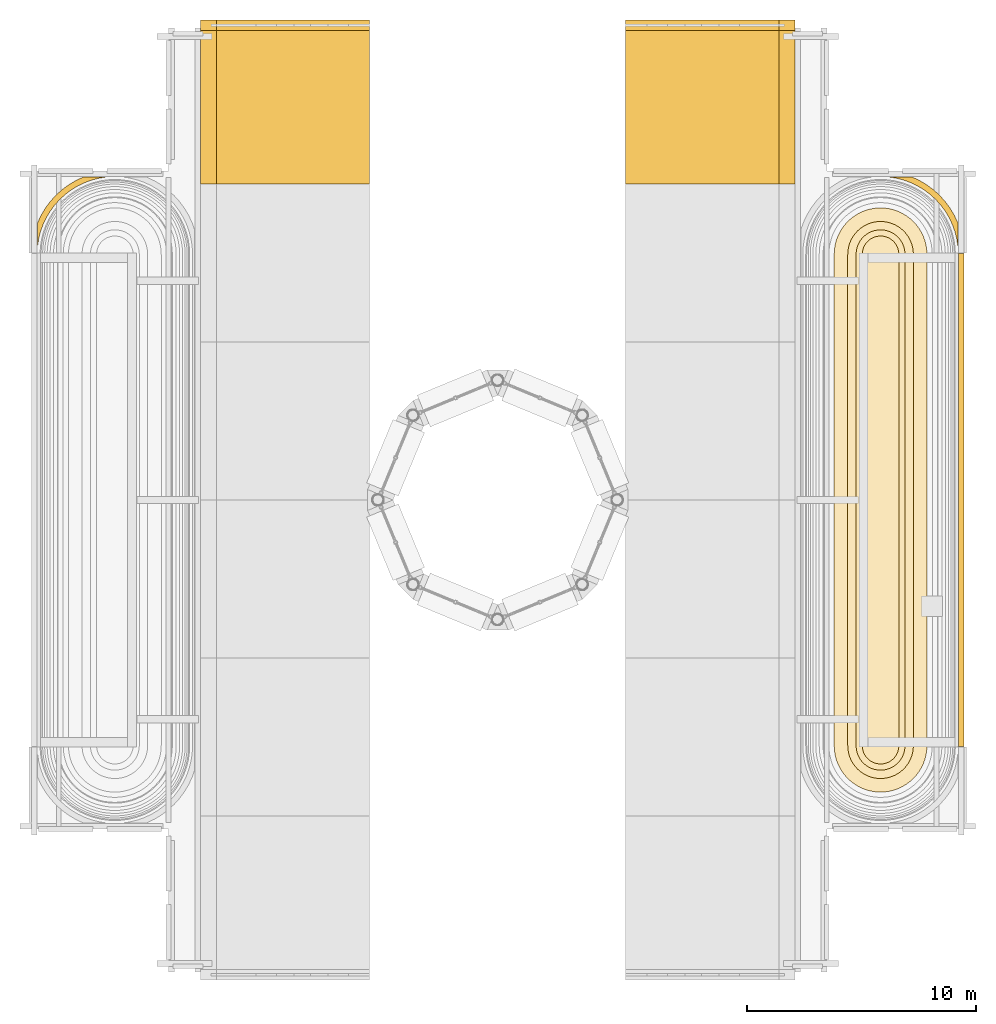
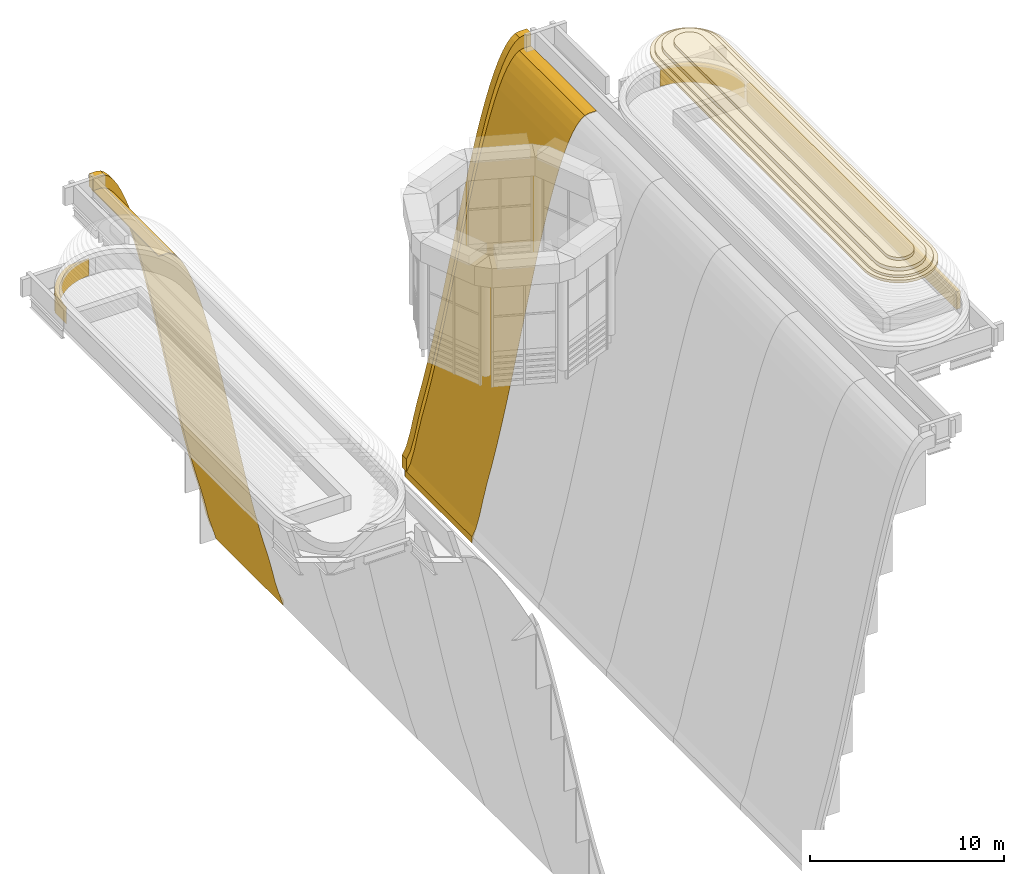
# One storey, part 14 of 14: 11 coverings.
"""IFC4 building model written with IfcOpenShell, lengths in metres."""

from ifc_helpers import new_model, si_unit, direction, frame, origin, place, context, subcontext, project, spatial, polyline, outline, extrude, material, layer, layer_set, type_object, element, save


model = new_model("IFC4")

# Units and contexts
model_context = context("Model", 3, precision=1e-05, world=origin(), true_north=direction((0.0, 1.0)))
body_context = subcontext(model_context, "Body", "Model", "MODEL_VIEW")
ifc_project = project(units=[si_unit("LENGTHUNIT", "METRE"), si_unit("AREAUNIT", "SQUARE_METRE"), si_unit("VOLUMEUNIT", "CUBIC_METRE"), si_unit("PLANEANGLEUNIT", "RADIAN"), si_unit("MASSUNIT", "GRAM", prefix="KILO")], contexts=[model_context])

# Site, building, storey
site_placement = place(None, origin())
site = spatial("IfcSite", under=ifc_project, at=site_placement, CompositionType="ELEMENT")
building_placement = place(site_placement, origin())
building = spatial("IfcBuilding", under=site, at=building_placement, Name="Cobrizo Arcos Hotel Tower", CompositionType="ELEMENT")
storey_placement = place(building_placement, frame((0.0, 0.0, 290.0)))
storey = spatial("IfcBuildingStorey", under=building, at=storey_placement, Name="RF", CompositionType="ELEMENT", Elevation=290.0)

# Coverings
ifc_material = material(Name="Aluminium 6063-T6 anodised pale", Category="aluminium")
ifc_layer_1 = layer(ifc_material, 0.06005859375)
ifc_layer_set_1 = layer_set([ifc_layer_1], Name="CB-2 crown bowl metal skin 60")
covering_type_1 = type_object("IfcCoveringType", Name="CB-2 crown bowl metal skin 60", PredefinedType="CLADDING", material=ifc_layer_set_1)
covering_1_placement = place(storey_placement, frame((0.0, 13.816650390625, -24.5), z_axis=(0.0, 1.0, 0.0), x_axis=(-1.0, 0.0, 0.0)))
element("IfcCovering", 1, at=covering_1_placement, inside=storey, type_object=covering_type_1, Name="Crown bowl skin W6", PredefinedType="CLADDING", context=body_context, shape_type="SweptSolid", body=[
    extrude(outline(polyline([(5.8310546875, 0.764892578125), (6.06201171875, 1.552490234375), (6.29296875, 2.578125), (6.52392578125, 3.5), (6.74853515625, 4.288818359375), (6.97314453125, 5.139892578125), (7.197509765625, 6.045654296875), (7.422119140625, 7.0), (7.676513671875, 8.12939453125), (7.9306640625, 9.300048828125), (8.18505859375, 10.5), (8.42822265625, 11.664794921875), (8.671630859375, 12.835205078125), (8.9150390625, 14.0), (9.169189453125, 15.199951171875), (9.423583984375, 16.37060546875), (9.677978515625, 17.5), (9.90234375, 18.454345703125), (10.126953125, 19.360595703125), (10.3515625, 20.211181640625), (10.575927734375, 21.0), (10.82275390625, 21.78857421875), (11.069580078125, 22.4873046875), (11.31640625, 23.09033203125), (11.56298828125, 23.59130859375), (11.809814453125, 23.986083984375), (12.056396484375, 24.270751953125), (12.30322265625, 24.442626953125), (12.550048828125, 24.5), (12.77490234375, 24.5), (13.0, 24.5), (13.0, 24.56005859375), (12.77490234375, 24.56005859375), (12.550048828125, 24.56005859375), (12.30322265625, 24.502685546875), (12.056396484375, 24.330810546875), (11.809814453125, 24.046142578125), (11.56298828125, 23.6513671875), (11.31640625, 23.150390625), (11.069580078125, 22.54736328125), (10.82275390625, 21.8486328125), (10.575927734375, 21.06005859375), (10.3515625, 20.271240234375), (10.126953125, 19.420654296875), (9.90234375, 18.514404296875), (9.677978515625, 17.56005859375), (9.423583984375, 16.4306640625), (9.169189453125, 15.260009765625), (8.9150390625, 14.06005859375), (8.671630859375, 12.895263671875), (8.42822265625, 11.724853515625), (8.18505859375, 10.56005859375), (7.9306640625, 9.360107421875), (7.676513671875, 8.189453125), (7.422119140625, 7.06005859375), (7.197509765625, 6.105712890625), (6.97314453125, 5.19970703125), (6.74853515625, 4.348876953125), (6.52392578125, 3.56005859375), (6.29296875, 2.63818359375), (6.06201171875, 1.612548828125), (5.8310546875, 0.824951171875), (5.60009765625, 0.3984375), (5.60009765625, 0.0), (5.8310546875, 0.764892578125)])), origin(), (0.0, 0.0, 1.0), 6.908447265625),
])
covering_2_placement = place(storey_placement, frame((0.0, 13.816650390625, -24.5), z_axis=(0.0, 1.0, 0.0), x_axis=(-1.0, 0.0, 0.0)))
element("IfcCovering", 2, at=covering_2_placement, inside=storey, type_object=covering_type_1, Name="Crown bowl skin E6", PredefinedType="CLADDING", context=body_context, shape_type="SweptSolid", body=[
    extrude(outline(polyline([(-5.60009765625, 0.0), (-5.60009765625, 0.3984375), (-5.8310546875, 0.824951171875), (-6.06201171875, 1.612548828125), (-6.29296875, 2.63818359375), (-6.52392578125, 3.56005859375), (-6.74853515625, 4.348876953125), (-6.97314453125, 5.19970703125), (-7.197509765625, 6.105712890625), (-7.422119140625, 7.06005859375), (-7.676513671875, 8.189453125), (-7.9306640625, 9.360107421875), (-8.18505859375, 10.56005859375), (-8.42822265625, 11.724853515625), (-8.671630859375, 12.895263671875), (-8.9150390625, 14.06005859375), (-9.169189453125, 15.260009765625), (-9.423583984375, 16.4306640625), (-9.677978515625, 17.56005859375), (-9.90234375, 18.514404296875), (-10.126953125, 19.420654296875), (-10.3515625, 20.271240234375), (-10.575927734375, 21.06005859375), (-10.82275390625, 21.8486328125), (-11.069580078125, 22.54736328125), (-11.31640625, 23.150390625), (-11.56298828125, 23.6513671875), (-11.809814453125, 24.046142578125), (-12.056396484375, 24.330810546875), (-12.30322265625, 24.502685546875), (-12.550048828125, 24.56005859375), (-12.77490234375, 24.56005859375), (-13.0, 24.56005859375), (-13.0, 24.5), (-12.77490234375, 24.5), (-12.550048828125, 24.5), (-12.30322265625, 24.442626953125), (-12.056396484375, 24.270751953125), (-11.809814453125, 23.986083984375), (-11.56298828125, 23.59130859375), (-11.31640625, 23.09033203125), (-11.069580078125, 22.4873046875), (-10.82275390625, 21.78857421875), (-10.575927734375, 21.0), (-10.3515625, 20.211181640625), (-10.126953125, 19.360595703125), (-9.90234375, 18.454345703125), (-9.677978515625, 17.5), (-9.423583984375, 16.37060546875), (-9.169189453125, 15.199951171875), (-8.9150390625, 14.0), (-8.671630859375, 12.835205078125), (-8.42822265625, 11.664794921875), (-8.18505859375, 10.5), (-7.9306640625, 9.300048828125), (-7.676513671875, 8.12939453125), (-7.422119140625, 7.0), (-7.197509765625, 6.045654296875), (-6.97314453125, 5.139892578125), (-6.74853515625, 4.288818359375), (-6.52392578125, 3.5), (-6.29296875, 2.578125), (-6.06201171875, 1.552490234375), (-5.8310546875, 0.764892578125), (-5.60009765625, 0.0)])), origin(), (0.0, 0.0, 1.0), 6.908447265625),
])
ifc_layer_2 = layer(ifc_material, 0.449951171875)
ifc_layer_set_2 = layer_set([ifc_layer_2], Name="CB-6 crown cheek fascia 800x450")
covering_type_2 = type_object("IfcCoveringType", Name="CB-6 crown cheek fascia 800x450", PredefinedType="CLADDING", material=ifc_layer_set_2)
covering_3_placement = place(storey_placement, frame((0.0, 20.550048828125, -24.5), z_axis=(0.0, 1.0, 0.0), x_axis=(-1.0, 0.0, 0.0)))
element("IfcCovering", 3, at=covering_3_placement, inside=storey, type_object=covering_type_2, Name="Crown cheek fascia WN", PredefinedType="CLADDING", context=body_context, shape_type="SweptSolid", body=[
    extrude(outline(polyline([(5.60009765625, 1.198486328125), (5.8310546875, 1.625), (6.06201171875, 2.41259765625), (6.29296875, 3.43798828125), (6.52392578125, 4.360107421875), (6.74853515625, 5.148681640625), (6.97314453125, 5.999755859375), (7.197509765625, 6.90576171875), (7.422119140625, 7.860107421875), (7.676513671875, 8.989501953125), (7.9306640625, 10.16015625), (8.18505859375, 11.360107421875), (8.42822265625, 12.52490234375), (8.671630859375, 13.6953125), (8.9150390625, 14.860107421875), (9.169189453125, 16.059814453125), (9.423583984375, 17.230712890625), (9.677978515625, 18.360107421875), (9.90234375, 19.314208984375), (10.126953125, 20.220703125), (10.3515625, 21.0712890625), (10.575927734375, 21.860107421875), (10.82275390625, 22.648681640625), (11.069580078125, 23.347412109375), (11.31640625, 23.9501953125), (11.56298828125, 24.451416015625), (11.809814453125, 24.84619140625), (12.056396484375, 25.130615234375), (12.30322265625, 25.302490234375), (12.550048828125, 25.360107421875), (12.77490234375, 25.360107421875), (13.0, 25.360107421875), (13.0, 24.56005859375), (12.77490234375, 24.56005859375), (12.550048828125, 24.56005859375), (12.30322265625, 24.502685546875), (12.056396484375, 24.330810546875), (11.809814453125, 24.046142578125), (11.56298828125, 23.6513671875), (11.31640625, 23.150390625), (11.069580078125, 22.54736328125), (10.82275390625, 21.8486328125), (10.575927734375, 21.06005859375), (10.3515625, 20.271240234375), (10.126953125, 19.420654296875), (9.90234375, 18.514404296875), (9.677978515625, 17.56005859375), (9.423583984375, 16.4306640625), (9.169189453125, 15.260009765625), (8.9150390625, 14.06005859375), (8.671630859375, 12.895263671875), (8.42822265625, 11.724853515625), (8.18505859375, 10.56005859375), (7.9306640625, 9.360107421875), (7.676513671875, 8.189453125), (7.422119140625, 7.06005859375), (7.197509765625, 6.105712890625), (6.97314453125, 5.19970703125), (6.74853515625, 4.348876953125), (6.52392578125, 3.56005859375), (6.29296875, 2.63818359375), (6.06201171875, 1.612548828125), (5.8310546875, 0.824951171875), (5.60009765625, 0.3984375), (5.60009765625, 1.198486328125)])), origin(), (0.0, 0.0, 1.0), 0.449951171875),
])
covering_4_placement = place(storey_placement, frame((0.0, 20.550048828125, -24.5), z_axis=(0.0, 1.0, 0.0), x_axis=(-1.0, 0.0, 0.0)))
element("IfcCovering", 4, at=covering_4_placement, inside=storey, type_object=covering_type_2, Name="Crown cheek fascia EN", PredefinedType="CLADDING", context=body_context, shape_type="SweptSolid", body=[
    extrude(outline(polyline([(-5.60009765625, 0.3984375), (-5.8310546875, 0.824951171875), (-6.06201171875, 1.612548828125), (-6.29296875, 2.63818359375), (-6.52392578125, 3.56005859375), (-6.74853515625, 4.348876953125), (-6.97314453125, 5.19970703125), (-7.197509765625, 6.105712890625), (-7.422119140625, 7.06005859375), (-7.676513671875, 8.189453125), (-7.9306640625, 9.360107421875), (-8.18505859375, 10.56005859375), (-8.42822265625, 11.724853515625), (-8.671630859375, 12.895263671875), (-8.9150390625, 14.06005859375), (-9.169189453125, 15.260009765625), (-9.423583984375, 16.4306640625), (-9.677978515625, 17.56005859375), (-9.90234375, 18.514404296875), (-10.126953125, 19.420654296875), (-10.3515625, 20.271240234375), (-10.575927734375, 21.06005859375), (-10.82275390625, 21.8486328125), (-11.069580078125, 22.54736328125), (-11.31640625, 23.150390625), (-11.56298828125, 23.6513671875), (-11.809814453125, 24.046142578125), (-12.056396484375, 24.330810546875), (-12.30322265625, 24.502685546875), (-12.550048828125, 24.56005859375), (-12.77490234375, 24.56005859375), (-13.0, 24.56005859375), (-13.0, 25.360107421875), (-12.77490234375, 25.360107421875), (-12.550048828125, 25.360107421875), (-12.30322265625, 25.302490234375), (-12.056396484375, 25.130615234375), (-11.809814453125, 24.84619140625), (-11.56298828125, 24.451416015625), (-11.31640625, 23.9501953125), (-11.069580078125, 23.347412109375), (-10.82275390625, 22.648681640625), (-10.575927734375, 21.860107421875), (-10.3515625, 21.0712890625), (-10.126953125, 20.220703125), (-9.90234375, 19.314208984375), (-9.677978515625, 18.360107421875), (-9.423583984375, 17.230712890625), (-9.169189453125, 16.059814453125), (-8.9150390625, 14.860107421875), (-8.671630859375, 13.6953125), (-8.42822265625, 12.52490234375), (-8.18505859375, 11.360107421875), (-7.9306640625, 10.16015625), (-7.676513671875, 8.989501953125), (-7.422119140625, 7.860107421875), (-7.197509765625, 6.90576171875), (-6.97314453125, 5.999755859375), (-6.74853515625, 5.148681640625), (-6.52392578125, 4.360107421875), (-6.29296875, 3.43798828125), (-6.06201171875, 2.41259765625), (-5.8310546875, 1.625), (-5.60009765625, 1.198486328125), (-5.60009765625, 0.3984375)])), origin(), (0.0, 0.0, 1.0), 0.449951171875),
])
ifc_layer_3 = layer(ifc_material, 0.35009765625)
ifc_layer_set_3 = layer_set([ifc_layer_3], Name="CB-7 shoulder roll course 350")
covering_type_3 = type_object("IfcCoveringType", Name="CB-7 shoulder roll course 350", PredefinedType="CLADDING", material=ifc_layer_set_3)
covering_5_placement = place(storey_placement, frame((0.0, 0.0, 4.255126953125)))
element("IfcCovering", 5, at=covering_5_placement, inside=storey, type_object=covering_type_3, Name="Shoulder roll E course 13", PredefinedType="CLADDING", context=body_context, shape_type="SweptSolid", body=[
    extrude(outline(polyline([(14.71875, 10.710205078125), (14.73046875, 10.948974609375), (14.759521484375, 11.14599609375), (14.80810546875, 11.339111328125), (14.875, 11.526611328125), (14.960205078125, 11.70654296875), (15.0625, 11.87744140625), (15.181396484375, 12.037353515625), (15.31494140625, 12.18505859375), (15.462646484375, 12.318603515625), (15.62255859375, 12.4375), (15.79345703125, 12.539794921875), (15.973388671875, 12.625), (16.160888671875, 12.69189453125), (16.35400390625, 12.740478515625), (16.551025390625, 12.76953125), (16.75, 12.779296875), (16.948974609375, 12.76953125), (17.14599609375, 12.740478515625), (17.339111328125, 12.69189453125), (17.526611328125, 12.625), (17.70654296875, 12.539794921875), (17.87744140625, 12.4375), (18.037353515625, 12.318603515625), (18.18505859375, 12.18505859375), (18.318603515625, 12.037353515625), (18.4375, 11.87744140625), (18.539794921875, 11.70654296875), (18.625, 11.526611328125), (18.69189453125, 11.339111328125), (18.740478515625, 11.14599609375), (18.76953125, 10.948974609375), (18.78125, 10.710205078125), (18.78125, -10.710205078125), (18.76953125, -10.948974609375), (18.740478515625, -11.14599609375), (18.69189453125, -11.339111328125), (18.625, -11.526611328125), (18.539794921875, -11.70654296875), (18.4375, -11.87744140625), (18.318603515625, -12.037353515625), (18.18505859375, -12.18505859375), (18.037353515625, -12.318603515625), (17.87744140625, -12.4375), (17.70654296875, -12.539794921875), (17.526611328125, -12.625), (17.339111328125, -12.69189453125), (17.14599609375, -12.740478515625), (16.948974609375, -12.76953125), (16.75, -12.779296875), (16.551025390625, -12.76953125), (16.35400390625, -12.740478515625), (16.160888671875, -12.69189453125), (15.973388671875, -12.625), (15.79345703125, -12.539794921875), (15.62255859375, -12.4375), (15.462646484375, -12.318603515625), (15.31494140625, -12.18505859375), (15.181396484375, -12.037353515625), (15.0625, -11.87744140625), (14.960205078125, -11.70654296875), (14.875, -11.526611328125), (14.80810546875, -11.339111328125), (14.759521484375, -11.14599609375), (14.73046875, -10.948974609375), (14.71875, -10.710205078125), (14.71875, 10.710205078125)]), holes=[polyline([(15.312255859375, 10.69580078125), (15.32177734375, 10.890625), (15.34228515625, 11.030029296875), (15.376708984375, 11.16650390625), (15.424072265625, 11.29931640625), (15.484375, 11.426513671875), (15.556640625, 11.54736328125), (15.640625, 11.660400390625), (15.735107421875, 11.764892578125), (15.839599609375, 11.859375), (15.95263671875, 11.943359375), (16.073486328125, 12.015625), (16.20068359375, 12.075927734375), (16.33349609375, 12.123291015625), (16.469970703125, 12.15771484375), (16.609375, 12.17822265625), (16.75, 12.185302734375), (16.890625, 12.17822265625), (17.030029296875, 12.15771484375), (17.16650390625, 12.123291015625), (17.29931640625, 12.075927734375), (17.426513671875, 12.015625), (17.54736328125, 11.943359375), (17.660400390625, 11.859375), (17.764892578125, 11.764892578125), (17.859375, 11.660400390625), (17.943359375, 11.54736328125), (18.015625, 11.426513671875), (18.075927734375, 11.29931640625), (18.123291015625, 11.16650390625), (18.15771484375, 11.030029296875), (18.17822265625, 10.890625), (18.187744140625, 10.69580078125), (18.187744140625, -10.69580078125), (18.17822265625, -10.890625), (18.15771484375, -11.030029296875), (18.123291015625, -11.16650390625), (18.075927734375, -11.29931640625), (18.015625, -11.426513671875), (17.943359375, -11.54736328125), (17.859375, -11.660400390625), (17.764892578125, -11.764892578125), (17.660400390625, -11.859375), (17.54736328125, -11.943359375), (17.426513671875, -12.015625), (17.29931640625, -12.075927734375), (17.16650390625, -12.123291015625), (17.030029296875, -12.15771484375), (16.890625, -12.17822265625), (16.75, -12.185302734375), (16.609375, -12.17822265625), (16.469970703125, -12.15771484375), (16.33349609375, -12.123291015625), (16.20068359375, -12.075927734375), (16.073486328125, -12.015625), (15.95263671875, -11.943359375), (15.839599609375, -11.859375), (15.735107421875, -11.764892578125), (15.640625, -11.660400390625), (15.556640625, -11.54736328125), (15.484375, -11.426513671875), (15.424072265625, -11.29931640625), (15.376708984375, -11.16650390625), (15.34228515625, -11.030029296875), (15.32177734375, -10.890625), (15.312255859375, -10.69580078125), (15.312255859375, 10.69580078125)])]), origin(), (0.0, 0.0, 1.0), 0.170166015625),
])
covering_6_placement = place(storey_placement, frame((0.0, 0.0, 4.42529296875)))
element("IfcCovering", 6, at=covering_6_placement, inside=storey, type_object=covering_type_3, Name="Shoulder roll E course 14", PredefinedType="CLADDING", context=body_context, shape_type="SweptSolid", body=[
    extrude(outline(polyline([(14.962158203125, 10.704345703125), (14.972900390625, 10.925048828125), (14.998779296875, 11.098388671875), (15.041259765625, 11.268310546875), (15.100341796875, 11.433349609375), (15.17529296875, 11.591796875), (15.265380859375, 11.741943359375), (15.36962890625, 11.8828125), (15.4873046875, 12.0126953125), (15.6171875, 12.13037109375), (15.758056640625, 12.234619140625), (15.908203125, 12.32470703125), (16.066650390625, 12.399658203125), (16.231689453125, 12.458740234375), (16.401611328125, 12.501220703125), (16.574951171875, 12.527099609375), (16.75, 12.53564453125), (16.925048828125, 12.527099609375), (17.098388671875, 12.501220703125), (17.268310546875, 12.458740234375), (17.433349609375, 12.399658203125), (17.591796875, 12.32470703125), (17.741943359375, 12.234619140625), (17.8828125, 12.13037109375), (18.0126953125, 12.0126953125), (18.13037109375, 11.8828125), (18.234619140625, 11.741943359375), (18.32470703125, 11.591796875), (18.399658203125, 11.433349609375), (18.458740234375, 11.268310546875), (18.501220703125, 11.098388671875), (18.527099609375, 10.925048828125), (18.537841796875, 10.704345703125), (18.537841796875, -10.704345703125), (18.527099609375, -10.925048828125), (18.501220703125, -11.098388671875), (18.458740234375, -11.268310546875), (18.399658203125, -11.433349609375), (18.32470703125, -11.591796875), (18.234619140625, -11.741943359375), (18.13037109375, -11.8828125), (18.0126953125, -12.0126953125), (17.8828125, -12.13037109375), (17.741943359375, -12.234619140625), (17.591796875, -12.32470703125), (17.433349609375, -12.399658203125), (17.268310546875, -12.458740234375), (17.098388671875, -12.501220703125), (16.925048828125, -12.527099609375), (16.75, -12.53564453125), (16.574951171875, -12.527099609375), (16.401611328125, -12.501220703125), (16.231689453125, -12.458740234375), (16.066650390625, -12.399658203125), (15.908203125, -12.32470703125), (15.758056640625, -12.234619140625), (15.6171875, -12.13037109375), (15.4873046875, -12.0126953125), (15.36962890625, -11.8828125), (15.265380859375, -11.741943359375), (15.17529296875, -11.591796875), (15.100341796875, -11.433349609375), (15.041259765625, -11.268310546875), (14.998779296875, -11.098388671875), (14.972900390625, -10.925048828125), (14.962158203125, -10.704345703125), (14.962158203125, 10.704345703125)]), holes=[polyline([(15.678466796875, 10.686767578125), (15.6865234375, 10.854736328125), (15.701904296875, 10.95849609375), (15.7275390625, 11.060302734375), (15.7626953125, 11.158935546875), (15.8076171875, 11.253662109375), (15.861572265625, 11.343505859375), (15.924072265625, 11.427978515625), (15.994384765625, 11.505615234375), (16.072021484375, 11.575927734375), (16.156494140625, 11.638427734375), (16.246337890625, 11.6923828125), (16.341064453125, 11.7373046875), (16.439697265625, 11.7724609375), (16.54150390625, 11.798095703125), (16.645263671875, 11.8134765625), (16.75, 11.818603515625), (16.854736328125, 11.8134765625), (16.95849609375, 11.798095703125), (17.060302734375, 11.7724609375), (17.158935546875, 11.7373046875), (17.253662109375, 11.6923828125), (17.343505859375, 11.638427734375), (17.427978515625, 11.575927734375), (17.505615234375, 11.505615234375), (17.575927734375, 11.427978515625), (17.638427734375, 11.343505859375), (17.6923828125, 11.253662109375), (17.7373046875, 11.158935546875), (17.7724609375, 11.060302734375), (17.798095703125, 10.95849609375), (17.8134765625, 10.854736328125), (17.821533203125, 10.686767578125), (17.821533203125, -10.686767578125), (17.8134765625, -10.854736328125), (17.798095703125, -10.95849609375), (17.7724609375, -11.060302734375), (17.7373046875, -11.158935546875), (17.6923828125, -11.253662109375), (17.638427734375, -11.343505859375), (17.575927734375, -11.427978515625), (17.505615234375, -11.505615234375), (17.427978515625, -11.575927734375), (17.343505859375, -11.638427734375), (17.253662109375, -11.6923828125), (17.158935546875, -11.7373046875), (17.060302734375, -11.7724609375), (16.95849609375, -11.798095703125), (16.854736328125, -11.8134765625), (16.75, -11.818603515625), (16.645263671875, -11.8134765625), (16.54150390625, -11.798095703125), (16.439697265625, -11.7724609375), (16.341064453125, -11.7373046875), (16.246337890625, -11.6923828125), (16.156494140625, -11.638427734375), (16.072021484375, -11.575927734375), (15.994384765625, -11.505615234375), (15.924072265625, -11.427978515625), (15.861572265625, -11.343505859375), (15.8076171875, -11.253662109375), (15.7626953125, -11.158935546875), (15.7275390625, -11.060302734375), (15.701904296875, -10.95849609375), (15.6865234375, -10.854736328125), (15.678466796875, -10.686767578125), (15.678466796875, 10.686767578125)])]), origin(), (0.0, 0.0, 1.0), 0.149658203125),
])
covering_7_placement = place(storey_placement, frame((0.0, 0.0, 4.574951171875)))
element("IfcCovering", 7, at=covering_7_placement, inside=storey, type_object=covering_type_3, Name="Shoulder roll E course 15", PredefinedType="CLADDING", context=body_context, shape_type="SweptSolid", body=[
    extrude(outline(polyline([(15.328369140625, 10.6953125), (15.337890625, 10.88916015625), (15.3583984375, 11.02685546875), (15.39208984375, 11.161865234375), (15.439208984375, 11.29296875), (15.49853515625, 11.4189453125), (15.5703125, 11.538330078125), (15.653076171875, 11.650146484375), (15.74658203125, 11.75341796875), (15.849853515625, 11.846923828125), (15.961669921875, 11.9296875), (16.0810546875, 12.00146484375), (16.20703125, 12.060791015625), (16.338134765625, 12.10791015625), (16.47314453125, 12.1416015625), (16.61083984375, 12.162109375), (16.75, 12.1689453125), (16.88916015625, 12.162109375), (17.02685546875, 12.1416015625), (17.161865234375, 12.10791015625), (17.29296875, 12.060791015625), (17.4189453125, 12.00146484375), (17.538330078125, 11.9296875), (17.650146484375, 11.846923828125), (17.75341796875, 11.75341796875), (17.846923828125, 11.650146484375), (17.9296875, 11.538330078125), (18.00146484375, 11.4189453125), (18.060791015625, 11.29296875), (18.10791015625, 11.161865234375), (18.1416015625, 11.02685546875), (18.162109375, 10.88916015625), (18.171630859375, 10.6953125), (18.171630859375, -10.6953125), (18.162109375, -10.88916015625), (18.1416015625, -11.02685546875), (18.10791015625, -11.161865234375), (18.060791015625, -11.29296875), (18.00146484375, -11.4189453125), (17.9296875, -11.538330078125), (17.846923828125, -11.650146484375), (17.75341796875, -11.75341796875), (17.650146484375, -11.846923828125), (17.538330078125, -11.9296875), (17.4189453125, -12.00146484375), (17.29296875, -12.060791015625), (17.161865234375, -12.10791015625), (17.02685546875, -12.1416015625), (16.88916015625, -12.162109375), (16.75, -12.1689453125), (16.61083984375, -12.162109375), (16.47314453125, -12.1416015625), (16.338134765625, -12.10791015625), (16.20703125, -12.060791015625), (16.0810546875, -12.00146484375), (15.961669921875, -11.9296875), (15.849853515625, -11.846923828125), (15.74658203125, -11.75341796875), (15.653076171875, -11.650146484375), (15.5703125, -11.538330078125), (15.49853515625, -11.4189453125), (15.439208984375, -11.29296875), (15.39208984375, -11.161865234375), (15.3583984375, -11.02685546875), (15.337890625, -10.88916015625), (15.328369140625, -10.6953125), (15.328369140625, 10.6953125)]), holes=[polyline([(16.297607421875, 10.67138671875), (16.303466796875, 10.7939453125), (16.309814453125, 10.83740234375), (16.320556640625, 10.880126953125), (16.33544921875, 10.921630859375), (16.354248046875, 10.96142578125), (16.376953125, 10.999267578125), (16.4033203125, 11.03466796875), (16.4326171875, 11.0673828125), (16.46533203125, 11.0966796875), (16.500732421875, 11.123046875), (16.53857421875, 11.145751953125), (16.578369140625, 11.16455078125), (16.619873046875, 11.179443359375), (16.66259765625, 11.190185546875), (16.7060546875, 11.196533203125), (16.75, 11.19873046875), (16.7939453125, 11.196533203125), (16.83740234375, 11.190185546875), (16.880126953125, 11.179443359375), (16.921630859375, 11.16455078125), (16.96142578125, 11.145751953125), (16.999267578125, 11.123046875), (17.03466796875, 11.0966796875), (17.0673828125, 11.0673828125), (17.0966796875, 11.03466796875), (17.123046875, 10.999267578125), (17.145751953125, 10.96142578125), (17.16455078125, 10.921630859375), (17.179443359375, 10.880126953125), (17.190185546875, 10.83740234375), (17.196533203125, 10.7939453125), (17.202392578125, 10.67138671875), (17.202392578125, -10.67138671875), (17.196533203125, -10.7939453125), (17.190185546875, -10.83740234375), (17.179443359375, -10.880126953125), (17.16455078125, -10.921630859375), (17.145751953125, -10.96142578125), (17.123046875, -10.999267578125), (17.0966796875, -11.03466796875), (17.0673828125, -11.0673828125), (17.03466796875, -11.0966796875), (16.999267578125, -11.123046875), (16.96142578125, -11.145751953125), (16.921630859375, -11.16455078125), (16.880126953125, -11.179443359375), (16.83740234375, -11.190185546875), (16.7939453125, -11.196533203125), (16.75, -11.19873046875), (16.7060546875, -11.196533203125), (16.66259765625, -11.190185546875), (16.619873046875, -11.179443359375), (16.578369140625, -11.16455078125), (16.53857421875, -11.145751953125), (16.500732421875, -11.123046875), (16.46533203125, -11.0966796875), (16.4326171875, -11.0673828125), (16.4033203125, -11.03466796875), (16.376953125, -10.999267578125), (16.354248046875, -10.96142578125), (16.33544921875, -10.921630859375), (16.320556640625, -10.880126953125), (16.309814453125, -10.83740234375), (16.303466796875, -10.7939453125), (16.297607421875, -10.67138671875), (16.297607421875, 10.67138671875)])]), origin(), (0.0, 0.0, 1.0), 0.234130859375),
])
covering_8_placement = place(storey_placement, frame((0.0, 0.0, 4.80908203125)))
element("IfcCovering", 8, at=covering_8_placement, inside=storey, type_object=covering_type_3, Name="Shoulder roll E course 16", PredefinedType="CLADDING", context=body_context, shape_type="SweptSolid", body=[
    extrude(outline(polyline([(15.947509765625, 10.68017578125), (15.95458984375, 10.828369140625), (15.96630859375, 10.906005859375), (15.9853515625, 10.98193359375), (16.01171875, 11.055908203125), (16.04541015625, 11.126708984375), (16.085693359375, 11.194091796875), (16.13232421875, 11.2568359375), (16.184814453125, 11.315185546875), (16.2431640625, 11.36767578125), (16.305908203125, 11.414306640625), (16.373291015625, 11.45458984375), (16.444091796875, 11.48828125), (16.51806640625, 11.5146484375), (16.593994140625, 11.53369140625), (16.671630859375, 11.54541015625), (16.75, 11.549072265625), (16.828369140625, 11.54541015625), (16.906005859375, 11.53369140625), (16.98193359375, 11.5146484375), (17.055908203125, 11.48828125), (17.126708984375, 11.45458984375), (17.194091796875, 11.414306640625), (17.2568359375, 11.36767578125), (17.315185546875, 11.315185546875), (17.36767578125, 11.2568359375), (17.414306640625, 11.194091796875), (17.45458984375, 11.126708984375), (17.48828125, 11.055908203125), (17.5146484375, 10.98193359375), (17.53369140625, 10.906005859375), (17.54541015625, 10.828369140625), (17.552490234375, 10.68017578125), (17.552490234375, -10.68017578125), (17.54541015625, -10.828369140625), (17.53369140625, -10.906005859375), (17.5146484375, -10.98193359375), (17.48828125, -11.055908203125), (17.45458984375, -11.126708984375), (17.414306640625, -11.194091796875), (17.36767578125, -11.2568359375), (17.315185546875, -11.315185546875), (17.2568359375, -11.36767578125), (17.194091796875, -11.414306640625), (17.126708984375, -11.45458984375), (17.055908203125, -11.48828125), (16.98193359375, -11.5146484375), (16.906005859375, -11.53369140625), (16.828369140625, -11.54541015625), (16.75, -11.549072265625), (16.671630859375, -11.54541015625), (16.593994140625, -11.53369140625), (16.51806640625, -11.5146484375), (16.444091796875, -11.48828125), (16.373291015625, -11.45458984375), (16.305908203125, -11.414306640625), (16.2431640625, -11.36767578125), (16.184814453125, -11.315185546875), (16.13232421875, -11.2568359375), (16.085693359375, -11.194091796875), (16.04541015625, -11.126708984375), (16.01171875, -11.055908203125), (15.9853515625, -10.98193359375), (15.96630859375, -10.906005859375), (15.95458984375, -10.828369140625), (15.947509765625, -10.68017578125), (15.947509765625, 10.68017578125)])), origin(), (0.0, 0.0, 1.0), 0.19091796875),
])
ifc_layer_4 = layer(ifc_material, 0.25)
ifc_layer_set_4 = layer_set([ifc_layer_4], Name="CB-8 shoulder roll skirt 250")
covering_type_4 = type_object("IfcCoveringType", Name="CB-8 shoulder roll skirt 250", PredefinedType="CLADDING", material=ifc_layer_set_4)
covering_9_placement = place(storey_placement, origin())
element("IfcCovering", 9, at=covering_9_placement, inside=storey, type_object=covering_type_4, Name="Shoulder roll skirt E2", PredefinedType="CLADDING", context=body_context, shape_type="SweptSolid", body=[
    extrude(outline(polyline([(18.146728515625, 14.122314453125), (18.470703125, 13.968994140625), (18.77783203125, 13.784912109375), (19.0654296875, 13.571533203125), (19.330810546875, 13.330810546875), (19.571533203125, 13.0654296875), (19.784912109375, 12.77783203125), (19.968994140625, 12.470703125), (20.122314453125, 12.146728515625), (20.139892578125, 12.096923828125), (20.139892578125, 10.947509765625), (20.13330078125, 11.083251953125), (20.08447265625, 11.4130859375), (20.00341796875, 11.73681640625), (19.890869140625, 12.051025390625), (19.748291015625, 12.3525390625), (19.57666015625, 12.638916015625), (19.3779296875, 12.90673828125), (19.15380859375, 13.15380859375), (18.90673828125, 13.3779296875), (18.638916015625, 13.57666015625), (18.3525390625, 13.748291015625), (18.051025390625, 13.890869140625), (17.73681640625, 14.00341796875), (17.4130859375, 14.08447265625), (17.083251953125, 14.13330078125), (16.947509765625, 14.139892578125), (18.096923828125, 14.139892578125), (18.146728515625, 14.122314453125)])), origin(), (0.0, 0.0, 1.0), 1.10009765625),
])
covering_10_placement = place(storey_placement, origin())
element("IfcCovering", 10, at=covering_10_placement, inside=storey, type_object=covering_type_4, Name="Shoulder roll skirt E3", PredefinedType="CLADDING", context=body_context, shape_type="SweptSolid", body=[
    extrude(outline(polyline([(20.39990234375, 10.75), (20.39990234375, -10.75), (20.39794921875, -10.7900390625), (20.14990234375, -10.7900390625), (20.14892578125, -10.7900390625), (20.14794921875, -10.790283203125), (20.147705078125, -10.790283203125), (20.14990234375, -10.743896484375), (20.14990234375, 10.743896484375), (20.147705078125, 10.790283203125), (20.14794921875, 10.790283203125), (20.14892578125, 10.7900390625), (20.14990234375, 10.7900390625), (20.39794921875, 10.7900390625), (20.39990234375, 10.75)])), origin(), (0.0, 0.0, 1.0), 1.10009765625),
])
covering_11_placement = place(storey_placement, origin())
element("IfcCovering", 11, at=covering_11_placement, inside=storey, type_object=covering_type_4, Name="Shoulder roll skirt W1", PredefinedType="CLADDING", context=body_context, shape_type="SweptSolid", body=[
    extrude(outline(polyline([(-20.122314453125, 12.146728515625), (-19.968994140625, 12.470703125), (-19.784912109375, 12.77783203125), (-19.571533203125, 13.0654296875), (-19.330810546875, 13.330810546875), (-19.0654296875, 13.571533203125), (-18.77783203125, 13.784912109375), (-18.470703125, 13.968994140625), (-18.146728515625, 14.122314453125), (-18.096923828125, 14.139892578125), (-16.947509765625, 14.139892578125), (-17.083251953125, 14.13330078125), (-17.4130859375, 14.08447265625), (-17.73681640625, 14.00341796875), (-18.051025390625, 13.890869140625), (-18.3525390625, 13.748291015625), (-18.638916015625, 13.57666015625), (-18.90673828125, 13.3779296875), (-19.15380859375, 13.15380859375), (-19.3779296875, 12.90673828125), (-19.57666015625, 12.638916015625), (-19.748291015625, 12.3525390625), (-19.890869140625, 12.051025390625), (-20.00341796875, 11.73681640625), (-20.08447265625, 11.4130859375), (-20.13330078125, 11.083251953125), (-20.139892578125, 10.947509765625), (-20.139892578125, 12.096923828125), (-20.122314453125, 12.146728515625)])), origin(), (0.0, 0.0, 1.0), 1.10009765625),
])

save(model, "model.ifc")
